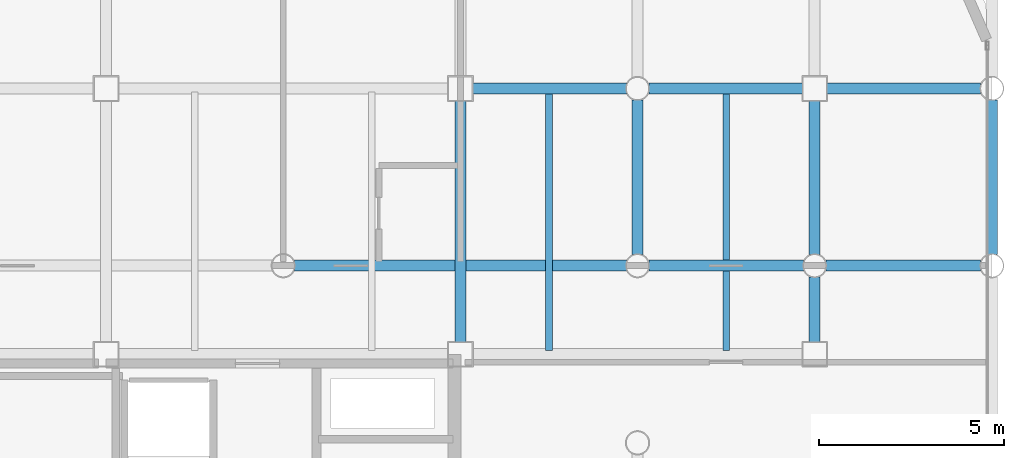
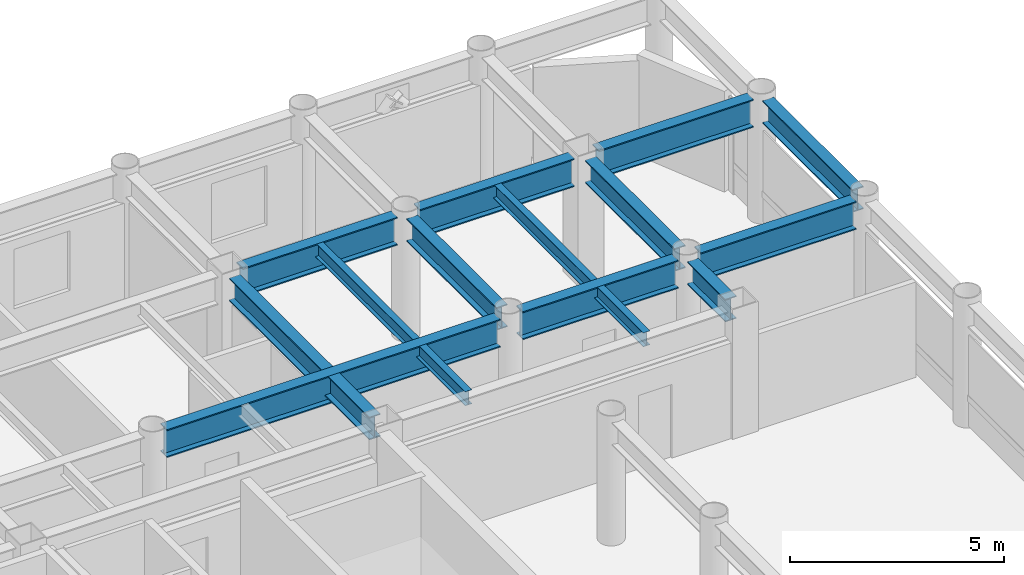
# One storey, part 13 of 20: 13 beams.
"""IFC4 building model written with IfcOpenShell, lengths in metres."""

import ifcopenshell
import ifcopenshell.guid

model = None  # the IFC model being written
_history = None  # IfcOwnerHistory: only IFC2X3 demands one
_inside = {}  # id of a spatial element -> (the spatial element, [elements in it])
_under = {}  # id of a project, library or spatial element -> (it, [spatial elements below it])
_declared = {}  # id of a project -> (the project, [libraries it declares])
_typed = {}  # id of a type object -> (the type object, [elements of that type])
_made_of = {}  # id of a material, layer set ... -> (it, [elements and type objects made of it])


def new_model(schema):
    """Start an empty IFC model of exactly this schema.

    Asked for "IFC4X3", IfcOpenShell would pick the latest addendum, in which some entities
    have other attributes; the version numbers below select the first issue.
    IFC2X3 requires an IfcOwnerHistory on every rooted entity: one is made here for all.
    """
    global model, _history
    if schema == "IFC4X3":
        model = ifcopenshell.file(schema_version=(4, 3, 0, 0))
    else:
        model = ifcopenshell.file(schema=schema)
    _inside.clear()
    _under.clear()
    _declared.clear()
    _typed.clear()
    _made_of.clear()
    _history = None
    if model.schema == "IFC2X3":
        org = make("IfcOrganization", Name="unknown")
        user = make(
            "IfcPersonAndOrganization",
            ThePerson=make("IfcPerson", FamilyName="unknown"),
            TheOrganization=org,
        )
        app = make(
            "IfcApplication",
            ApplicationDeveloper=org,
            Version="unknown",
            ApplicationFullName="unknown",
            ApplicationIdentifier="unknown",
        )
        _history = make(
            "IfcOwnerHistory",
            OwningUser=user,
            OwningApplication=app,
            ChangeAction="ADDED",
            CreationDate=0,
        )
    return model


def make(cls, **values):
    """One entity of the class cls with the attributes given. An attribute that is None is left unset."""
    return model.create_entity(
        cls, **{name: value for name, value in values.items() if value is not None}
    )


def rooted(cls, **values):
    """An entity with a GlobalId (a new one), such as an element, a storey or a relation."""
    return make(cls, GlobalId=ifcopenshell.guid.new(), OwnerHistory=_history, **values)


def si_unit(unit_type, name, prefix=None):
    """IfcSIUnit, for example si_unit("LENGTHUNIT", "METRE", prefix="MILLI")."""
    return make("IfcSIUnit", UnitType=unit_type, Prefix=prefix, Name=name)


def assignment(units):
    """IfcUnitAssignment: the units of a project."""
    return None if units is None else make("IfcUnitAssignment", Units=units)


def point(xyz):
    """IfcCartesianPoint."""
    return None if xyz is None else make("IfcCartesianPoint", Coordinates=xyz)


def direction(xyz):
    """IfcDirection."""
    return None if xyz is None else make("IfcDirection", DirectionRatios=xyz)


def frame(location, z_axis=None, x_axis=None):
    """IfcAxis2Placement3D, a coordinate frame: its origin and axes. An axis left out is left unset."""
    return make(
        "IfcAxis2Placement3D",
        Location=point(location),
        Axis=direction(z_axis),
        RefDirection=direction(x_axis),
    )


def frame_2d(location, x_axis=None):
    """IfcAxis2Placement2D, a coordinate frame in the plane: its origin and x axis."""
    return make(
        "IfcAxis2Placement2D", Location=point(location), RefDirection=direction(x_axis)
    )


def origin():
    """The frame at (0, 0, 0) with its axes left unset."""
    return frame((0.0, 0.0, 0.0))


def origin_2d():
    """The frame at (0, 0) in the plane with its x axis left unset."""
    return frame_2d((0.0, 0.0))


def place(relative_to, where):
    """IfcLocalPlacement: puts the frame where relative to a parent placement (None: the world)."""
    return make(
        "IfcLocalPlacement", PlacementRelTo=relative_to, RelativePlacement=where
    )


def context(
    kind, dimensions, precision=None, world=None, true_north=None, identifier=None
):
    """IfcGeometricRepresentationContext, for example the 3D "Model" context."""
    return make(
        "IfcGeometricRepresentationContext",
        ContextIdentifier=identifier,
        ContextType=kind,
        CoordinateSpaceDimension=dimensions,
        Precision=precision,
        WorldCoordinateSystem=world,
        TrueNorth=true_north,
    )


def subcontext(parent, identifier, kind, view, scale=None):
    """IfcGeometricRepresentationSubContext, for example "Body" below "Model"."""
    return make(
        "IfcGeometricRepresentationSubContext",
        ContextIdentifier=identifier,
        ContextType=kind,
        ParentContext=parent,
        TargetScale=scale,
        TargetView=view,
    )


def project(units=None, contexts=None):
    """IfcProject with its units and contexts."""
    return rooted(
        "IfcProject",
        Name="project",
        RepresentationContexts=contexts,
        UnitsInContext=assignment(units),
    )


def spatial(cls, under=None, at=None, **own):
    """A site, building, storey or space (cls), placed at a placement, below another one or the project."""
    s = rooted(cls, ObjectPlacement=at, **own)
    if under is not None:
        _under.setdefault(under.id(), (under, []))[1].append(s)
    return s


def profile(cls, at=None, kind="AREA", **sizes):
    """A parametric profile (cls). Its sizes go by their IFC names, for example OverallWidth=200.0."""
    return make(cls, ProfileType=kind, Position=at, **sizes)


def i_section(**sizes):
    """IfcIShapeProfileDef."""
    return profile("IfcIShapeProfileDef", **sizes)


def extrude(swept, where, along, depth):
    """IfcExtrudedAreaSolid: the profile swept, set in the frame where, extruded along a direction by depth."""
    return make(
        "IfcExtrudedAreaSolid",
        SweptArea=swept,
        Position=where,
        ExtrudedDirection=direction(along),
        Depth=depth,
    )


def shape(context_of_items, identifier, shape_type, items):
    """IfcShapeRepresentation: the items that make up one representation, for example the "Body"."""
    return make(
        "IfcShapeRepresentation",
        ContextOfItems=context_of_items,
        RepresentationIdentifier=identifier,
        RepresentationType=shape_type,
        Items=items,
    )


def material(Name=None, Category=None):
    """IfcMaterial."""
    return make("IfcMaterial", Name=Name, Category=Category)


def material_profile(
    of_material, cross_section, Name=None, Category=None, Priority=None
):
    """IfcMaterialProfile: a cross section and its material."""
    return make(
        "IfcMaterialProfile",
        Name=Name,
        Material=of_material,
        Profile=cross_section,
        Priority=Priority,
        Category=Category,
    )


def profile_set(profiles, Name=None, composite=None):
    """IfcMaterialProfileSet."""
    return make(
        "IfcMaterialProfileSet",
        Name=Name,
        MaterialProfiles=profiles,
        CompositeProfile=composite,
    )


def made_of(thing, what):
    """Note that an element or type object is made of a material, layer set ...; save() writes the relation."""
    if what is not None:
        _made_of.setdefault(what.id(), (what, []))[1].append(thing)
    return thing


def type_object(cls, material=None, **own):
    """A type object (cls), such as IfcWallType, which elements share."""
    return made_of(rooted(cls, **own), material)


def element(
    cls,
    number,
    at=None,
    inside=None,
    cuts=None,
    type_object=None,
    material=None,
    context=None,
    identifier="Body",
    shape_type=None,
    held_by="IfcProductDefinitionShape",
    body=None,
    shapes=None,
    **own,
):
    """One element of the class cls, such as IfcWall. Its Tag is "e" and its number.

    at: its placement. inside: the storey or other place that contains it. cuts: it is an
    opening in that element (IfcRelVoidsElement). A single representation is given by context,
    identifier, shape_type and body (its items); several are given by shapes. held_by: the class
    of the entity that holds the representations. save() writes the other relations.
    """
    e = rooted(cls, Tag="e%d" % number, ObjectPlacement=at, **own)
    if body is not None:
        shapes = [shape(context, identifier, shape_type, body)]
    if shapes is not None:
        e.Representation = make(held_by, Representations=shapes)
    if inside is not None:
        _inside.setdefault(inside.id(), (inside, []))[1].append(e)
    if cuts is not None:
        rooted(
            "IfcRelVoidsElement", RelatingBuildingElement=cuts, RelatedOpeningElement=e
        )
    if type_object is not None:
        _typed.setdefault(type_object.id(), (type_object, []))[1].append(e)
    return made_of(e, material)


def aggregate(whole, parts):
    """IfcRelAggregates: a whole, such as a stair, and the parts it consists of."""
    return rooted("IfcRelAggregates", RelatingObject=whole, RelatedObjects=parts)


def save(model, path):
    """Write the relations noted so far, then the file.

    IfcRelAggregates (storeys below a building ...), IfcRelContainedInSpatialStructure (elements
    in a storey), IfcRelDefinesByType, IfcRelAssociatesMaterial and IfcRelDeclares: one each for
    every whole, place, type object, material and project.
    """
    for whole, parts in _under.values():
        aggregate(whole, parts)
    for where, things in _inside.values():
        rooted(
            "IfcRelContainedInSpatialStructure",
            RelatedElements=things,
            RelatingStructure=where,
        )
    for kind, things in _typed.values():
        rooted("IfcRelDefinesByType", RelatedObjects=things, RelatingType=kind)
    for what, things in _made_of.values():
        rooted("IfcRelAssociatesMaterial", RelatedObjects=things, RelatingMaterial=what)
    for by, libraries in _declared.values():
        rooted("IfcRelDeclares", RelatingContext=by, RelatedDefinitions=libraries)
    model.write(path)


model = new_model("IFC4")

# Units and contexts
model_context = context("Model", 3, precision=1e-05, world=origin(), true_north=direction((0.0, 1.0)))
body_context = subcontext(model_context, "Body", "Model", "MODEL_VIEW")
ifc_project = project(units=[si_unit("LENGTHUNIT", "METRE"), si_unit("AREAUNIT", "SQUARE_METRE"), si_unit("VOLUMEUNIT", "CUBIC_METRE"), si_unit("PLANEANGLEUNIT", "RADIAN"), si_unit("MASSUNIT", "GRAM", prefix="KILO")], contexts=[model_context])

# Site, building, storey
site_placement = place(None, origin())
site = spatial("IfcSite", under=ifc_project, at=site_placement, CompositionType="ELEMENT")
building_placement = place(site_placement, origin())
building = spatial("IfcBuilding", under=site, at=building_placement, Name="Kallvorn Hotel Tower", CompositionType="ELEMENT")
storey_placement = place(building_placement, frame((0.0, 0.0, 172.89990234375)))
storey = spatial("IfcBuildingStorey", under=building, at=storey_placement, Name="L43", CompositionType="ELEMENT", Elevation=172.89990234375)

# Beams
ifc_material_1 = material(Name="Structural steel S355JR", Category="steel")
ifc_material_profile_1 = material_profile(ifc_material_1, i_section(OverallWidth=0.300048828125, OverallDepth=0.64990234375, WebThickness=0.01611328125, FlangeThickness=0.031005859375, at=origin_2d()), Name="HE 650 B")
ifc_profile_set_1 = profile_set([ifc_material_profile_1], Name="Structural steel S355JR")
beam_type_1 = type_object("IfcBeamType", Name="BM_HE650B", PredefinedType="BEAM", material=ifc_profile_set_1)
beam_1_placement = place(storey_placement, frame((14.39990234375, 7.52490234375, 3.195068359375), z_axis=(0.0, 1.0, 0.0), x_axis=(-1.0, 0.0, 0.0)))
element("IfcBeam", 1, at=beam_1_placement, inside=storey, type_object=beam_type_1, Name="L44 Primary Y-Girder 125", PredefinedType="BEAM", context=body_context, shape_type="SweptSolid", body=[
    extrude(i_section(OverallWidth=0.300048828125, OverallDepth=0.64990234375, WebThickness=0.01611328125, FlangeThickness=0.031005859375, at=origin_2d()), origin(), (0.0, 0.0, 1.0), 6.550048828125),
])
beam_2_placement = place(storey_placement, frame((19.199951171875, 9.905029296875, 3.195068359375), z_axis=(0.0, 1.0, 0.0), x_axis=(-1.0, 0.0, 0.0)))
element("IfcBeam", 2, at=beam_2_placement, inside=storey, type_object=beam_type_1, Name="L44 Primary Y-Girder 134", PredefinedType="BEAM", context=body_context, shape_type="SweptSolid", body=[
    extrude(i_section(OverallWidth=0.300048828125, OverallDepth=0.64990234375, WebThickness=0.01611328125, FlangeThickness=0.031005859375, at=origin_2d()), origin(), (0.0, 0.0, 1.0), 4.18994140625),
])
beam_3_placement = place(storey_placement, frame((24.0, 7.52490234375, 3.195068359375), z_axis=(0.0, 1.0, 0.0), x_axis=(-1.0, 0.0, 0.0)))
element("IfcBeam", 3, at=beam_3_placement, inside=storey, type_object=beam_type_1, Name="L44 Primary Y-Girder 140", PredefinedType="BEAM", context=body_context, shape_type="SweptSolid", body=[
    extrude(i_section(OverallWidth=0.300048828125, OverallDepth=0.64990234375, WebThickness=0.01611328125, FlangeThickness=0.031005859375, at=origin_2d()), origin(), (0.0, 0.0, 1.0), 1.77001953125),
])
beam_4_placement = place(storey_placement, frame((24.0, 9.905029296875, 3.195068359375), z_axis=(0.0, 1.0, 0.0), x_axis=(-1.0, 0.0, 0.0)))
element("IfcBeam", 4, at=beam_4_placement, inside=storey, type_object=beam_type_1, Name="L44 Primary Y-Girder 141", PredefinedType="BEAM", context=body_context, shape_type="SweptSolid", body=[
    extrude(i_section(OverallWidth=0.300048828125, OverallDepth=0.64990234375, WebThickness=0.01611328125, FlangeThickness=0.031005859375, at=origin_2d()), origin(), (0.0, 0.0, 1.0), 4.169921875),
])
beam_5_placement = place(storey_placement, frame((28.800048828125, 9.905029296875, 3.195068359375), z_axis=(0.0, 1.0, 0.0), x_axis=(-1.0, 0.0, 0.0)))
element("IfcBeam", 5, at=beam_5_placement, inside=storey, type_object=beam_type_1, Name="L44 Primary Y-Girder 149", PredefinedType="BEAM", context=body_context, shape_type="SweptSolid", body=[
    extrude(i_section(OverallWidth=0.300048828125, OverallDepth=0.64990234375, WebThickness=0.01611328125, FlangeThickness=0.031005859375, at=origin_2d()), origin(), (0.0, 0.0, 1.0), 4.18994140625),
])
ifc_material_2 = material(Name="Structural steel S355JR", Category="steel")
ifc_material_profile_2 = material_profile(ifc_material_2, i_section(OverallWidth=0.300048828125, OverallDepth=0.800048828125, WebThickness=0.017578125, FlangeThickness=0.032958984375, at=origin_2d()), Name="HE 800 B")
ifc_profile_set_2 = profile_set([ifc_material_profile_2], Name="Structural steel S355JR")
beam_type_2 = type_object("IfcBeamType", Name="BM_HE800B", PredefinedType="BEAM", material=ifc_profile_set_2)
beam_6_placement = place(storey_placement, frame((9.905029296875, 9.60009765625, 3.1201171875), z_axis=(1.0, 0.0, 0.0), x_axis=(0.0, 1.0, 0.0)))
element("IfcBeam", 6, at=beam_6_placement, inside=storey, type_object=beam_type_2, Name="L44 Primary X-Girder 48", PredefinedType="BEAM", context=body_context, shape_type="SweptSolid", body=[
    extrude(i_section(OverallWidth=0.300048828125, OverallDepth=0.800048828125, WebThickness=0.017578125, FlangeThickness=0.032958984375, at=origin_2d()), origin(), (0.0, 0.0, 1.0), 8.989990234375),
])
for number, where, z_axis, x_axis, name in (
    (7, (19.5048828125, 9.60009765625, 3.1201171875), (1.0, 0.0, 0.0), (0.0, 1.0, 0.0), "L44 Primary X-Girder 49"),
    (8, (24.304931640625, 9.60009765625, 3.1201171875), (1.0, 0.0, 0.0), (0.0, 1.0, 0.0), "L44 Primary X-Girder 50"),
):
    element("IfcBeam", number, at=place(storey_placement, frame(where, z_axis=z_axis, x_axis=x_axis)), inside=storey, type_object=beam_type_2, Name=name, PredefinedType="BEAM", context=body_context, shape_type="SweptSolid", body=[
        extrude(i_section(OverallWidth=0.300048828125, OverallDepth=0.800048828125, WebThickness=0.017578125, FlangeThickness=0.032958984375, at=origin_2d()), origin(), (0.0, 0.0, 1.0), 4.190185546875),
    ])
beam_7_placement = place(storey_placement, frame((14.72509765625, 14.39990234375, 3.1201171875), z_axis=(1.0, 0.0, 0.0), x_axis=(0.0, 1.0, 0.0)))
element("IfcBeam", 9, at=beam_7_placement, inside=storey, type_object=beam_type_2, Name="L44 Primary X-Girder 58", PredefinedType="BEAM", context=body_context, shape_type="SweptSolid", body=[
    extrude(i_section(OverallWidth=0.300048828125, OverallDepth=0.800048828125, WebThickness=0.017578125, FlangeThickness=0.032958984375, at=origin_2d()), origin(), (0.0, 0.0, 1.0), 4.169921875),
])
for number, where, z_axis, x_axis, name in (
    (10, (19.5048828125, 14.39990234375, 3.1201171875), (1.0, 0.0, 0.0), (0.0, 1.0, 0.0), "L44 Primary X-Girder 59"),
    (11, (24.324951171875, 14.39990234375, 3.1201171875), (1.0, 0.0, 0.0), (0.0, 1.0, 0.0), "L44 Primary X-Girder 60"),
):
    element("IfcBeam", number, at=place(storey_placement, frame(where, z_axis=z_axis, x_axis=x_axis)), inside=storey, type_object=beam_type_2, Name=name, PredefinedType="BEAM", context=body_context, shape_type="SweptSolid", body=[
        extrude(i_section(OverallWidth=0.300048828125, OverallDepth=0.800048828125, WebThickness=0.017578125, FlangeThickness=0.032958984375, at=origin_2d()), origin(), (0.0, 0.0, 1.0), 4.170166015625),
    ])
ifc_material_3 = material(Name="Structural steel S355JR", Category="steel")
ifc_material_profile_3 = material_profile(ifc_material_3, i_section(OverallWidth=0.179931640625, OverallDepth=0.39990234375, WebThickness=0.008544921875, FlangeThickness=0.013427734375, at=origin_2d()), Name="IPE 400")
ifc_profile_set_3 = profile_set([ifc_material_profile_3], Name="Structural steel S355JR")
beam_type_3 = type_object("IfcBeamType", Name="BM_IPE400", PredefinedType="JOIST", material=ifc_profile_set_3)
for number, where, z_axis, x_axis, name in (
    (12, (16.800048828125, 7.300048828125, 3.320068359375), (0.0, 1.0, 0.0), (-1.0, 0.0, 0.0), "L44 Secondary Composite Joist 207"),
    (13, (21.60009765625, 7.300048828125, 3.320068359375), (0.0, 1.0, 0.0), (-1.0, 0.0, 0.0), "L44 Secondary Composite Joist 209"),
):
    element("IfcBeam", number, at=place(storey_placement, frame(where, z_axis=z_axis, x_axis=x_axis)), inside=storey, type_object=beam_type_3, Name=name, PredefinedType="JOIST", context=body_context, shape_type="SweptSolid", body=[
        extrude(i_section(OverallWidth=0.179931640625, OverallDepth=0.39990234375, WebThickness=0.008544921875, FlangeThickness=0.013427734375, at=origin_2d()), origin(), (0.0, 0.0, 1.0), 7.0),
    ])

save(model, "model.ifc")
